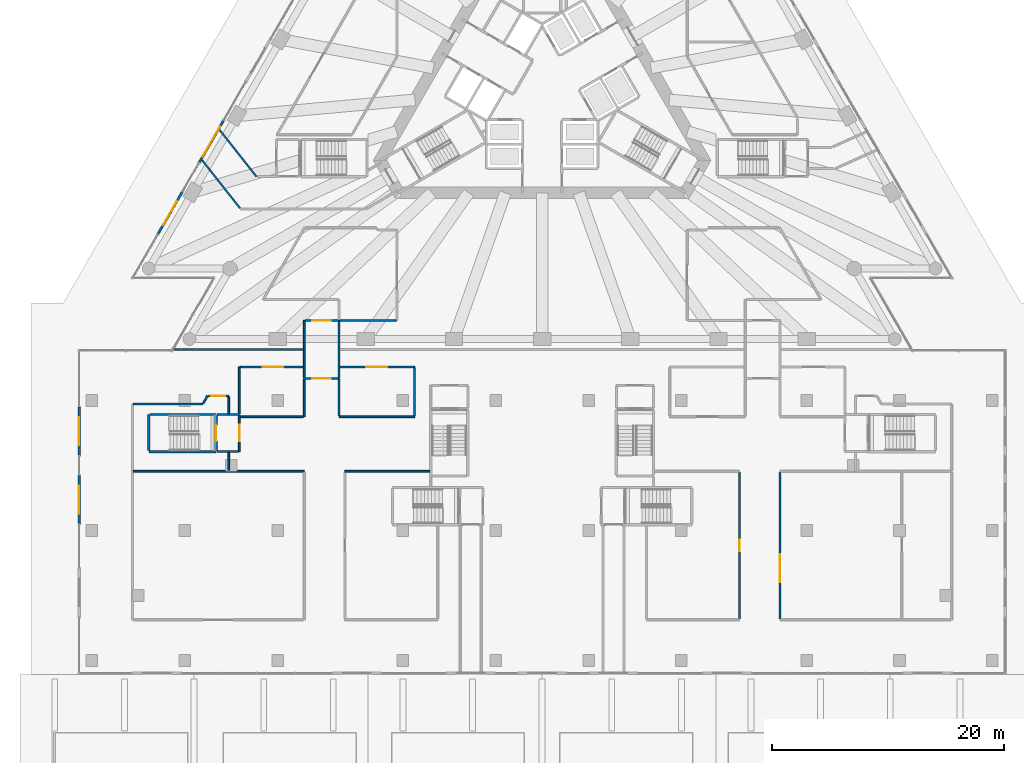
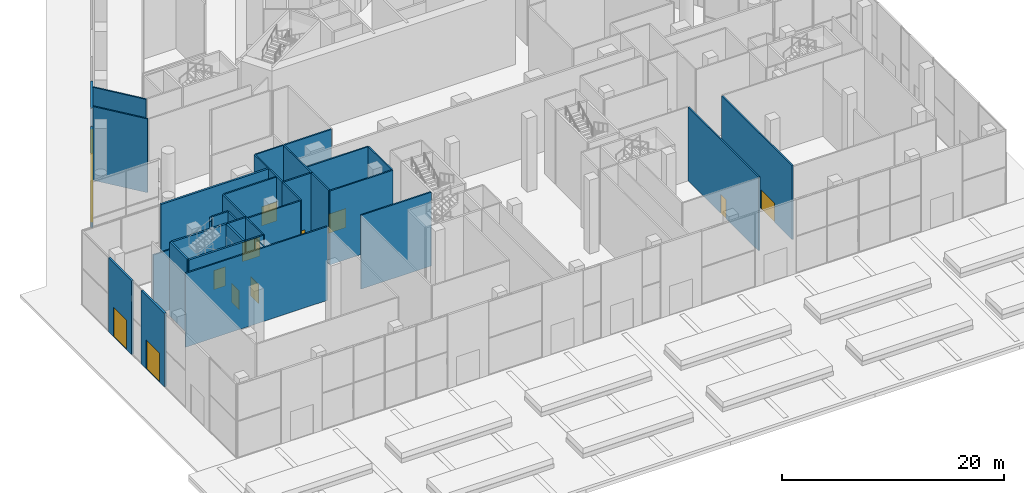
# One storey, part 21 of 41: 36 walls, 13 doors, 13 openings.
"""IFC4 building model written with IfcOpenShell, lengths in metres."""

from ifc_helpers import new_model, si_unit, direction, frame, frame_2d, origin, place, context, subcontext, project, spatial, rectangle, extrude, material, layer, layer_set, layer_usage, type_object, element, fill, save


model = new_model("IFC4")

# Units and contexts
model_context = context("Model", 3, precision=1e-05, world=origin(), true_north=direction((0.0, 1.0)))
body_context = subcontext(model_context, "Body", "Model", "MODEL_VIEW")
ifc_project = project(units=[si_unit("LENGTHUNIT", "METRE"), si_unit("AREAUNIT", "SQUARE_METRE"), si_unit("VOLUMEUNIT", "CUBIC_METRE"), si_unit("PLANEANGLEUNIT", "RADIAN"), si_unit("MASSUNIT", "GRAM", prefix="KILO")], contexts=[model_context])

# Site, building, storey
site_placement = place(None, origin())
site = spatial("IfcSite", under=ifc_project, at=site_placement, CompositionType="ELEMENT")
building_placement = place(site_placement, origin())
building = spatial("IfcBuilding", under=site, at=building_placement, Name="Triada Interchange Tower", CompositionType="ELEMENT")
storey_placement = place(building_placement, origin())
storey = spatial("IfcBuildingStorey", under=building, at=storey_placement, Name="L00", CompositionType="ELEMENT", Elevation=0.0)

# Walls
ifc_material_1 = material(Name="Concrete C30/37", Category="concrete")
ifc_layer_1 = layer(ifc_material_1, 0.199951171875)
ifc_layer_set_1 = layer_set([ifc_layer_1], Name="COMPARTMENT WALL 200 EI 180")
wall_type_1 = type_object("IfcWallType", Name="COMPARTMENT WALL 200 EI 180", PredefinedType="SOLIDWALL", material=ifc_layer_set_1)
wall_1_placement = place(storey_placement, frame((-31.72509765625, -22.5, 0.0), z_axis=(0.0, 0.0, 1.0), x_axis=(1.0, 0.0, 0.0)))
element("IfcWall", 1, at=wall_1_placement, inside=storey, type_object=wall_type_1, Name="Compartment wall L00 77", PredefinedType="SOLIDWALL", context=body_context, shape_type="SweptSolid", body=[
    extrude(rectangle(XDim=11.150146484375, YDim=0.199951171875, at=frame_2d((5.5751953125, 0.0))), origin(), (0.0, 0.0, 1.0), 8.10009765625),
])
ifc_layer_2 = layer(ifc_material_1, 0.199951171875)
ifc_layer_set_2 = layer_set([ifc_layer_2], Name="CORE WALL 200 REI 240")
wall_type_2 = type_object("IfcWallType", Name="CORE WALL 200 REI 240", PredefinedType="SOLIDWALL", material=ifc_layer_set_2)
wall_2_placement = place(storey_placement, frame((-33.89990234375, -31.300048828125, 0.0), z_axis=(0.0, 0.0, 1.0), x_axis=(1.0, 0.0, 0.0)))
element("IfcWall", 2, at=wall_2_placement, inside=storey, type_object=wall_type_2, Name="Wall L00 193", PredefinedType="SOLIDWALL", context=body_context, shape_type="SweptSolid", body=[
    extrude(rectangle(XDim=5.7978515625, YDim=0.199951171875, at=frame_2d((2.89892578125, 0.0))), origin(), (0.0, 0.0, 1.0), 8.10009765625),
])
wall_3_placement = place(storey_placement, frame((-33.89990234375, -31.199951171875, 0.0), z_axis=(0.0, 0.0, 1.0), x_axis=(0.0, 1.0, 0.0)))
element("IfcWall", 3, at=wall_3_placement, inside=storey, type_object=wall_type_2, Name="Wall L00 195", PredefinedType="SOLIDWALL", context=body_context, shape_type="SweptSolid", body=[
    extrude(rectangle(XDim=3.099853515625, YDim=0.199951171875, at=frame_2d((1.5498046875, 0.0))), origin(), (0.0, 0.0, 1.0), 8.10009765625),
])
wall_4_placement = place(storey_placement, frame((-33.800048828125, -28.10009765625, 0.0), z_axis=(0.0, 0.0, 1.0), x_axis=(1.0, 0.0, 0.0)))
element("IfcWall", 4, at=wall_4_placement, inside=storey, type_object=wall_type_2, Name="Wall L00 196", PredefinedType="SOLIDWALL", context=body_context, shape_type="SweptSolid", body=[
    extrude(rectangle(XDim=5.699951171875, YDim=0.199951171875, at=frame_2d((2.85009765625, 0.0))), origin(), (0.0, 0.0, 1.0), 8.10009765625),
])

# Wall, opening, door
wall_5_placement = place(storey_placement, frame((-28.10009765625, -31.199951171875, 0.0), z_axis=(0.0, 0.0, 1.0), x_axis=(0.0, 1.0, 0.0)))
wall_5 = element("IfcWall", 5, at=wall_5_placement, inside=storey, type_object=wall_type_2, Name="Wall L00 198", PredefinedType="SOLIDWALL", context=body_context, shape_type="SweptSolid", body=[
    extrude(rectangle(XDim=3.0, YDim=0.199951171875, at=frame_2d((1.5, 0.0))), origin(), (0.0, 0.0, 1.0), 8.10009765625),
])
opening_1_placement = place(wall_5_placement, frame((0.800048828125, 0.0, 0.0)))
opening_1 = element("IfcOpeningElement", 6, at=opening_1_placement, cuts=wall_5, Name="Opening D00-25", PredefinedType="OPENING", context=body_context, shape_type="SweptSolid", body=[
    extrude(rectangle(XDim=1.39990234375, YDim=2.10009765625, at=frame_2d((0.699951171875, 1.050048828125))), frame((0.0, 0.10986328125, 0.0), z_axis=(0.0, -1.0, 0.0), x_axis=(1.0, 0.0, 0.0)), (0.0, 0.0, 1.0), 0.219970703125),
])
ifc_material_2 = material(Name="Steel S235 door leaf", Category="steel")
door_type_1 = type_object("IfcDoorType", Name="STAIR DOOR 1400 EI2 90-C5S200", OperationType="DOUBLE_DOOR_SINGLE_SWING", PredefinedType="DOOR", material=ifc_material_2)
door_1_placement = place(opening_1_placement, origin())
door_1 = element("IfcDoor", 7, at=door_1_placement, inside=storey, type_object=door_type_1, Name="Door D00-25 L00", OperationType="DOUBLE_DOOR_SINGLE_SWING", OverallHeight=2.10009765625, OverallWidth=1.39990234375, PredefinedType="DOOR", context=body_context, shape_type="SweptSolid", body=[
    extrude(rectangle(XDim=1.39990234375, YDim=2.10009765625, at=frame_2d((0.699951171875, 1.050048828125))), frame((0.0, 0.02490234375, 0.0), z_axis=(0.0, -1.0, 0.0), x_axis=(1.0, 0.0, 0.0)), (0.0, 0.0, 1.0), 0.050048828125),
])
fill(opening_1, door_1)

ifc_material_3 = material(Name="Cement board")
ifc_layer_3 = layer(ifc_material_3, 0.02001953125, Name="Cement board cladding")
ifc_material_4 = material(Name="Sheathing board")
ifc_layer_4 = layer(ifc_material_4, 0.014892578125, Name="Sheathing board")
ifc_material_5 = material(Name="Mineral wool")
ifc_layer_5 = layer(ifc_material_5, 0.14990234375, Name="Mineral wool between steel studs")
ifc_material_6 = material(Name="Gypsum board")
ifc_layer_6 = layer(ifc_material_6, 0.014892578125, Name="Plasterboard lining")
ifc_layer_set_3 = layer_set([ifc_layer_3, ifc_layer_4, ifc_layer_5, ifc_layer_6], Name="External wall 200")
ifc_layer_usage = layer_usage(ifc_layer_set_3, "AXIS2", "POSITIVE", -0.10009765625)
wall_type_3 = type_object("IfcWallType", Name="External wall 200", PredefinedType="ELEMENTEDWALL", material=ifc_layer_set_3)
wall_6_placement = place(storey_placement, frame((-27.45703125, -2.757080078125, 0.0), z_axis=(0.0, 0.0, 1.0), x_axis=(-0.500126550569, -0.86595232745, 0.0)))
wall_6 = element("IfcWall", 8, at=wall_6_placement, inside=storey, type_object=wall_type_3, material=ifc_layer_usage, Name="External wall L00 08.11", PredefinedType="ELEMENTEDWALL", context=body_context, shape_type="SweptSolid", body=[
    extrude(rectangle(XDim=4.201171875, YDim=0.199951171875, at=frame_2d((2.1005859375, 0.0))), origin(), (0.0, 0.0, 1.0), 8.10009765625),
])
opening_2_placement = place(wall_6_placement, frame((0.60009765625, 0.0, 0.0)))
opening_2 = element("IfcOpeningElement", 9, at=opening_2_placement, cuts=wall_6, Name="Opening DX27", PredefinedType="OPENING", context=body_context, shape_type="SweptSolid", body=[
    extrude(rectangle(XDim=3.0, YDim=3.199951171875, at=frame_2d((1.5, 1.60009765625))), frame((0.0, 0.10986328125, 0.0), z_axis=(0.0, -1.0, 0.0), x_axis=(1.0, 0.0, 0.0)), (0.0, 0.0, 1.0), 0.219970703125),
])
ifc_material_7 = material(Name="Aluminium and glass", Category="aluminium")
door_type_2 = type_object("IfcDoorType", Name="Exit door double 3000", OperationType="DOUBLE_DOOR_SINGLE_SWING", PredefinedType="DOOR", material=ifc_material_7)
door_2_placement = place(opening_2_placement, frame((3.0, 0.0, 0.0), z_axis=(0.0, 0.0, 1.0), x_axis=(-1.0, 0.0, 0.0)))
door_2 = element("IfcDoor", 10, at=door_2_placement, inside=storey, type_object=door_type_2, Name="Door DX27 L00", OperationType="DOUBLE_DOOR_SINGLE_SWING", OverallHeight=3.199951171875, OverallWidth=3.0, PredefinedType="DOOR", context=body_context, shape_type="SweptSolid", body=[
    extrude(rectangle(XDim=3.0, YDim=3.199951171875, at=frame_2d((1.5, 1.60009765625))), frame((0.0, 0.02490234375, 0.0), z_axis=(0.0, -1.0, 0.0), x_axis=(1.0, 0.0, 0.0)), (0.0, 0.0, 1.0), 0.050048828125),
])
fill(opening_2, door_2)

wall_7_placement = place(storey_placement, frame((-31.01806640625, -8.924072265625, 0.0), z_axis=(0.0, 0.0, 1.0), x_axis=(-0.499908613451, -0.866078159404, 0.0)))
wall_7 = element("IfcWall", 11, at=wall_7_placement, inside=storey, type_object=wall_type_3, material=ifc_layer_usage, Name="External wall L00 08.13", PredefinedType="ELEMENTEDWALL", context=body_context, shape_type="SweptSolid", body=[
    extrude(rectangle(XDim=4.200439453125, YDim=0.199951171875, at=frame_2d((2.10009765625, 0.0))), origin(), (0.0, 0.0, 1.0), 8.10009765625),
])
opening_3_placement = place(wall_7_placement, frame((0.89990234375, 0.0, 0.0)))
opening_3 = element("IfcOpeningElement", 12, at=opening_3_placement, cuts=wall_7, Name="Opening DX17", PredefinedType="OPENING", context=body_context, shape_type="SweptSolid", body=[
    extrude(rectangle(XDim=2.39990234375, YDim=3.199951171875, at=frame_2d((1.199951171875, 1.60009765625))), frame((0.0, 0.10986328125, 0.0), z_axis=(0.0, -1.0, 0.0), x_axis=(1.0, 0.0, 0.0)), (0.0, 0.0, 1.0), 0.219970703125),
])
door_type_3 = type_object("IfcDoorType", Name="Entrance door double", OperationType="DOUBLE_DOOR_SINGLE_SWING", PredefinedType="DOOR", material=ifc_material_7)
door_3_placement = place(opening_3_placement, frame((2.39990234375, 0.0, 0.0), z_axis=(0.0, 0.0, 1.0), x_axis=(-1.0, 0.0, 0.0)))
door_3 = element("IfcDoor", 13, at=door_3_placement, inside=storey, type_object=door_type_3, Name="Door DX17 L00", OperationType="DOUBLE_DOOR_SINGLE_SWING", OverallHeight=3.199951171875, OverallWidth=2.39990234375, PredefinedType="DOOR", context=body_context, shape_type="SweptSolid", body=[
    extrude(rectangle(XDim=2.39990234375, YDim=3.199951171875, at=frame_2d((1.199951171875, 1.60009765625))), frame((0.0, 0.02490234375, 0.0), z_axis=(0.0, -1.0, 0.0), x_axis=(1.0, 0.0, 0.0)), (0.0, 0.0, 1.0), 0.050048828125),
])
fill(opening_3, door_3)

wall_8_placement = place(storey_placement, frame((-39.89990234375, -27.449951171875, 0.0), z_axis=(0.0, 0.0, 1.0), x_axis=(0.0, -1.0, 0.0)))
wall_8 = element("IfcWall", 14, at=wall_8_placement, inside=storey, type_object=wall_type_3, material=ifc_layer_usage, Name="External wall L00 12.1", PredefinedType="ELEMENTEDWALL", context=body_context, shape_type="SweptSolid", body=[
    extrude(rectangle(XDim=4.199951171875, YDim=0.199951171875, at=frame_2d((2.10009765625, 0.0))), origin(), (0.0, 0.0, 1.0), 8.10009765625),
])
opening_4_placement = place(wall_8_placement, frame((0.89990234375, 0.0, 0.0)))
opening_4 = element("IfcOpeningElement", 15, at=opening_4_placement, cuts=wall_8, Name="Opening DX18", PredefinedType="OPENING", context=body_context, shape_type="SweptSolid", body=[
    extrude(rectangle(XDim=2.39990234375, YDim=3.199951171875, at=frame_2d((1.199951171875, 1.60009765625))), frame((0.0, 0.10986328125, 0.0), z_axis=(0.0, -1.0, 0.0), x_axis=(1.0, 0.0, 0.0)), (0.0, 0.0, 1.0), 0.219970703125),
])
door_4_placement = place(opening_4_placement, frame((2.39990234375, 0.0, 0.0), z_axis=(0.0, 0.0, 1.0), x_axis=(-1.0, 0.0, 0.0)))
door_4 = element("IfcDoor", 16, at=door_4_placement, inside=storey, type_object=door_type_3, Name="Door DX18 L00", OperationType="DOUBLE_DOOR_SINGLE_SWING", OverallHeight=3.199951171875, OverallWidth=2.39990234375, PredefinedType="DOOR", context=body_context, shape_type="SweptSolid", body=[
    extrude(rectangle(XDim=2.39990234375, YDim=3.199951171875, at=frame_2d((1.199951171875, 1.60009765625))), frame((0.0, 0.02490234375, 0.0), z_axis=(0.0, -1.0, 0.0), x_axis=(1.0, 0.0, 0.0)), (0.0, 0.0, 1.0), 0.050048828125),
])
fill(opening_4, door_4)

wall_9_placement = place(storey_placement, frame((-39.89990234375, -33.35009765625, 0.0), z_axis=(0.0, 0.0, 1.0), x_axis=(0.0, -1.0, 0.0)))
wall_9 = element("IfcWall", 17, at=wall_9_placement, inside=storey, type_object=wall_type_3, material=ifc_layer_usage, Name="External wall L00 12.3", PredefinedType="ELEMENTEDWALL", context=body_context, shape_type="SweptSolid", body=[
    extrude(rectangle(XDim=4.199951171875, YDim=0.199951171875, at=frame_2d((2.10009765625, 0.0))), origin(), (0.0, 0.0, 1.0), 8.10009765625),
])
opening_5_placement = place(wall_9_placement, frame((0.89990234375, 0.0, 0.0)))
opening_5 = element("IfcOpeningElement", 18, at=opening_5_placement, cuts=wall_9, Name="Opening DX28", PredefinedType="OPENING", context=body_context, shape_type="SweptSolid", body=[
    extrude(rectangle(XDim=2.39990234375, YDim=3.199951171875, at=frame_2d((1.199951171875, 1.60009765625))), frame((0.0, 0.10986328125, 0.0), z_axis=(0.0, -1.0, 0.0), x_axis=(1.0, 0.0, 0.0)), (0.0, 0.0, 1.0), 0.219970703125),
])
door_5_placement = place(opening_5_placement, frame((2.39990234375, 0.0, 0.0), z_axis=(0.0, 0.0, 1.0), x_axis=(-1.0, 0.0, 0.0)))
door_5 = element("IfcDoor", 19, at=door_5_placement, inside=storey, type_object=door_type_3, Name="Door DX28 L00", OperationType="DOUBLE_DOOR_SINGLE_SWING", OverallHeight=3.199951171875, OverallWidth=2.39990234375, PredefinedType="DOOR", context=body_context, shape_type="SweptSolid", body=[
    extrude(rectangle(XDim=2.39990234375, YDim=3.199951171875, at=frame_2d((1.199951171875, 1.60009765625))), frame((0.0, 0.02490234375, 0.0), z_axis=(0.0, -1.0, 0.0), x_axis=(1.0, 0.0, 0.0)), (0.0, 0.0, 1.0), 0.050048828125),
])
fill(opening_5, door_5)

# Walls
ifc_material_8 = material(Name="Gypsum board partition")
ifc_layer_7 = layer(ifc_material_8, 0.14990234375)
ifc_layer_set_4 = layer_set([ifc_layer_7], Name="PARTITION 150 EI 180")
wall_type_4 = type_object("IfcWallType", Name="PARTITION 150 EI 180", PredefinedType="PARTITIONING", material=ifc_layer_set_4)
wall_10_placement = place(storey_placement, frame((-29.31396484375, -6.173095703125, 0.0), z_axis=(0.0, 0.0, 1.0), x_axis=(0.6194227418, -0.785057620141, 0.0)))
element("IfcWall", 20, at=wall_10_placement, inside=storey, type_object=wall_type_4, Name="Wall L00 3", PredefinedType="PARTITIONING", context=body_context, shape_type="SweptSolid", body=[
    extrude(rectangle(XDim=5.28857421875, YDim=0.14990234375, at=frame_2d((2.644287109375, 0.0))), origin(), (0.0, 0.0, 1.0), 8.10009765625),
])
wall_11_placement = place(storey_placement, frame((-28.0, -28.10009765625, 0.0), z_axis=(0.0, 0.0, 1.0), x_axis=(1.0, 0.0, 0.0)))
element("IfcWall", 21, at=wall_11_placement, inside=storey, type_object=wall_type_4, Name="Wall L00 4", PredefinedType="PARTITIONING", context=body_context, shape_type="SweptSolid", body=[
    extrude(rectangle(XDim=1.89990234375, YDim=0.14990234375, at=frame_2d((0.949951171875, 0.0))), origin(), (0.0, 0.0, 1.0), 8.10009765625),
])

# Wall, opening, door
wall_12_placement = place(storey_placement, frame((-26.10009765625, -31.300048828125, 0.0), z_axis=(0.0, 0.0, 1.0), x_axis=(0.0, 1.0, 0.0)))
wall_12 = element("IfcWall", 22, at=wall_12_placement, inside=storey, type_object=wall_type_4, Name="Wall L00 6", PredefinedType="PARTITIONING", context=body_context, shape_type="SweptSolid", body=[
    extrude(rectangle(XDim=3.125, YDim=0.14990234375, at=frame_2d((1.5625, 0.0))), origin(), (0.0, 0.0, 1.0), 8.10009765625),
])
opening_6_placement = place(wall_12_placement, frame((0.89990234375, 0.0, 0.0)))
opening_6 = element("IfcOpeningElement", 23, at=opening_6_placement, cuts=wall_12, Name="Opening D00-26", PredefinedType="OPENING", context=body_context, shape_type="SweptSolid", body=[
    extrude(rectangle(XDim=1.39990234375, YDim=2.10009765625, at=frame_2d((0.699951171875, 1.050048828125))), frame((0.0, 0.0849609375, 0.0), z_axis=(0.0, -1.0, 0.0), x_axis=(1.0, 0.0, 0.0)), (0.0, 0.0, 1.0), 0.169921875),
])
door_6_placement = place(opening_6_placement, origin())
door_6 = element("IfcDoor", 24, at=door_6_placement, inside=storey, type_object=door_type_1, Name="Door D00-26 L00", OperationType="DOUBLE_DOOR_SINGLE_SWING", OverallHeight=2.10009765625, OverallWidth=1.39990234375, PredefinedType="DOOR", context=body_context, shape_type="SweptSolid", body=[
    extrude(rectangle(XDim=1.39990234375, YDim=2.10009765625, at=frame_2d((0.699951171875, 1.050048828125))), frame((0.0, 0.02490234375, 0.0), z_axis=(0.0, -1.0, 0.0), x_axis=(1.0, 0.0, 0.0)), (0.0, 0.0, 1.0), 0.050048828125),
])
fill(opening_6, door_6)

# Walls
wall_13_placement = place(storey_placement, frame((-28.0, -31.300048828125, 0.0), z_axis=(0.0, 0.0, 1.0), x_axis=(1.0, 0.0, 0.0)))
element("IfcWall", 25, at=wall_13_placement, inside=storey, type_object=wall_type_4, Name="Wall L00 7", PredefinedType="PARTITIONING", context=body_context, shape_type="SweptSolid", body=[
    extrude(rectangle(XDim=1.824951171875, YDim=0.14990234375, at=frame_2d((0.91259765625, 0.0))), origin(), (0.0, 0.0, 1.0), 8.10009765625),
])
wall_14_placement = place(storey_placement, frame((-27.806884765625, -3.56298828125, 0.0), z_axis=(0.0, 0.0, 1.0), x_axis=(0.619476498326, -0.785015202415, 0.0)))
element("IfcWall", 26, at=wall_14_placement, inside=storey, type_object=wall_type_4, Name="Wall L00 9", PredefinedType="PARTITIONING", context=body_context, shape_type="SweptSolid", body=[
    extrude(rectangle(XDim=5.142822265625, YDim=0.14990234375, at=frame_2d((2.5712890625, 0.0))), origin(), (0.0, 0.0, 1.0), 8.10009765625),
])
ifc_layer_8 = layer(ifc_material_8, 0.14990234375)
ifc_layer_set_5 = layer_set([ifc_layer_8], Name="PARTITION 150 EI 90")
wall_type_5 = type_object("IfcWallType", Name="PARTITION 150 EI 90", PredefinedType="PARTITIONING", material=ifc_layer_set_5)
wall_15_placement = place(storey_placement, frame((-20.5, -25.0, 0.0), z_axis=(0.0, 0.0, 1.0), x_axis=(0.0, 1.0, 0.0)))
element("IfcWall", 27, at=wall_15_placement, inside=storey, type_object=wall_type_5, Name="Wall L00 49", PredefinedType="PARTITIONING", context=body_context, shape_type="SweptSolid", body=[
    extrude(rectangle(XDim=5.0, YDim=0.14990234375, at=frame_2d((2.5, 0.0))), origin(), (0.0, 0.0, 1.0), 8.10009765625),
])

# Wall, opening, door
wall_16_placement = place(storey_placement, frame((-20.425048828125, -20.0, 0.0), z_axis=(0.0, 0.0, 1.0), x_axis=(1.0, 0.0, 0.0)))
wall_16 = element("IfcWall", 28, at=wall_16_placement, inside=storey, type_object=wall_type_5, Name="Wall L00 50", PredefinedType="PARTITIONING", context=body_context, shape_type="SweptSolid", body=[
    extrude(rectangle(XDim=2.925048828125, YDim=0.14990234375, at=frame_2d((1.46240234375, 0.0))), origin(), (0.0, 0.0, 1.0), 8.10009765625),
])
opening_7_placement = place(wall_16_placement, frame((0.625, 0.0, 0.0)))
opening_7 = element("IfcOpeningElement", 29, at=opening_7_placement, cuts=wall_16, Name="Opening D00-14", PredefinedType="OPENING", context=body_context, shape_type="SweptSolid", body=[
    extrude(rectangle(XDim=1.60009765625, YDim=2.10009765625, at=frame_2d((0.800048828125, 1.050048828125))), frame((0.0, 0.0849609375, 0.0), z_axis=(0.0, -1.0, 0.0), x_axis=(1.0, 0.0, 0.0)), (0.0, 0.0, 1.0), 0.169921875),
])
door_type_4 = type_object("IfcDoorType", Name="STAIR DOOR 1600 EI2 90-C5S200", OperationType="DOUBLE_DOOR_SINGLE_SWING", PredefinedType="DOOR", material=ifc_material_2)
door_7_placement = place(opening_7_placement, origin())
door_7 = element("IfcDoor", 30, at=door_7_placement, inside=storey, type_object=door_type_4, Name="Door D00-14 L00", OperationType="DOUBLE_DOOR_SINGLE_SWING", OverallHeight=2.10009765625, OverallWidth=1.60009765625, PredefinedType="DOOR", context=body_context, shape_type="SweptSolid", body=[
    extrude(rectangle(XDim=1.60009765625, YDim=2.10009765625, at=frame_2d((0.800048828125, 1.050048828125))), frame((0.0, 0.02490234375, 0.0), z_axis=(0.0, -1.0, 0.0), x_axis=(1.0, 0.0, 0.0)), (0.0, 0.0, 1.0), 0.050048828125),
])
fill(opening_7, door_7)

# Wall
wall_17_placement = place(storey_placement, frame((-17.5, -25.0, 0.0), z_axis=(0.0, 0.0, 1.0), x_axis=(0.0, 1.0, 0.0)))
element("IfcWall", 31, at=wall_17_placement, inside=storey, type_object=wall_type_5, Name="Wall L00 52", PredefinedType="PARTITIONING", context=body_context, shape_type="SweptSolid", body=[
    extrude(rectangle(XDim=4.925048828125, YDim=0.14990234375, at=frame_2d((2.46240234375, 0.0))), origin(), (0.0, 0.0, 1.0), 8.10009765625),
])

# Wall, opening, door
wall_18_placement = place(storey_placement, frame((-20.425048828125, -25.0, 0.0), z_axis=(0.0, 0.0, 1.0), x_axis=(1.0, 0.0, 0.0)))
wall_18 = element("IfcWall", 32, at=wall_18_placement, inside=storey, type_object=wall_type_5, Name="Wall L00 53", PredefinedType="PARTITIONING", context=body_context, shape_type="SweptSolid", body=[
    extrude(rectangle(XDim=2.85009765625, YDim=0.14990234375, at=frame_2d((1.425048828125, 0.0))), origin(), (0.0, 0.0, 1.0), 8.10009765625),
])
opening_8_placement = place(wall_18_placement, frame((0.625, 0.0, 0.0)))
opening_8 = element("IfcOpeningElement", 33, at=opening_8_placement, cuts=wall_18, Name="Opening D00-13", PredefinedType="OPENING", context=body_context, shape_type="SweptSolid", body=[
    extrude(rectangle(XDim=1.60009765625, YDim=2.10009765625, at=frame_2d((0.800048828125, 1.050048828125))), frame((0.0, 0.0849609375, 0.0), z_axis=(0.0, -1.0, 0.0), x_axis=(1.0, 0.0, 0.0)), (0.0, 0.0, 1.0), 0.169921875),
])
door_8_placement = place(opening_8_placement, origin())
door_8 = element("IfcDoor", 34, at=door_8_placement, inside=storey, type_object=door_type_4, Name="Door D00-13 L00", OperationType="DOUBLE_DOOR_SINGLE_SWING", OverallHeight=2.10009765625, OverallWidth=1.60009765625, PredefinedType="DOOR", context=body_context, shape_type="SweptSolid", body=[
    extrude(rectangle(XDim=1.60009765625, YDim=2.10009765625, at=frame_2d((0.800048828125, 1.050048828125))), frame((0.0, 0.02490234375, 0.0), z_axis=(0.0, -1.0, 0.0), x_axis=(1.0, 0.0, 0.0)), (0.0, 0.0, 1.0), 0.050048828125),
])
fill(opening_8, door_8)

# Walls
wall_19_placement = place(storey_placement, frame((-35.22509765625, -33.0, 0.0), z_axis=(0.0, 0.0, 1.0), x_axis=(1.0, 0.0, 0.0)))
element("IfcWall", 35, at=wall_19_placement, inside=storey, type_object=wall_type_5, Name="Wall L00 57", PredefinedType="PARTITIONING", context=body_context, shape_type="SweptSolid", body=[
    extrude(rectangle(XDim=14.72509765625, YDim=0.14990234375, at=frame_2d((7.362548828125, 0.0))), origin(), (0.0, 0.0, 1.0), 8.10009765625),
])
wall_20_placement = place(storey_placement, frame((-17.0, -33.0, 0.0), z_axis=(0.0, 0.0, 1.0), x_axis=(1.0, 0.0, 0.0)))
element("IfcWall", 36, at=wall_20_placement, inside=storey, type_object=wall_type_5, Name="Wall L00 58", PredefinedType="PARTITIONING", context=body_context, shape_type="SweptSolid", body=[
    extrude(rectangle(XDim=7.300048828125, YDim=0.14990234375, at=frame_2d((3.64990234375, 0.0))), origin(), (0.0, 0.0, 1.0), 8.10009765625),
])
wall_21_placement = place(storey_placement, frame((-35.22509765625, -27.199951171875, 0.0), z_axis=(0.0, 0.0, 1.0), x_axis=(1.0, 0.0, 0.0)))
element("IfcWall", 37, at=wall_21_placement, inside=storey, type_object=wall_type_5, Name="Wall L00 62", PredefinedType="PARTITIONING", context=body_context, shape_type="SweptSolid", body=[
    extrude(rectangle(XDim=5.983154296875, YDim=0.14990234375, at=frame_2d((2.99169921875, 0.0))), origin(), (0.0, 0.0, 1.0), 6.60009765625),
])
wall_22_placement = place(storey_placement, frame((-29.198974609375, -27.125, 0.0), z_axis=(0.0, 0.0, 1.0), x_axis=(0.500249421803, 0.865881352141, 0.0)))
element("IfcWall", 38, at=wall_22_placement, inside=storey, type_object=wall_type_5, Name="Wall L00 64", PredefinedType="PARTITIONING", context=body_context, shape_type="SweptSolid", body=[
    extrude(rectangle(XDim=0.721923828125, YDim=0.14990234375, at=frame_2d((0.36083984375, 0.0))), origin(), (0.0, 0.0, 1.0), 8.10009765625),
])

# Wall, opening, door
wall_23_placement = place(storey_placement, frame((-28.751953125, -26.5, 0.0), z_axis=(0.0, 0.0, 1.0), x_axis=(1.0, 0.0, 0.0)))
wall_23 = element("IfcWall", 39, at=wall_23_placement, inside=storey, type_object=wall_type_5, Name="Wall L00 67", PredefinedType="PARTITIONING", context=body_context, shape_type="SweptSolid", body=[
    extrude(rectangle(XDim=1.751953125, YDim=0.14990234375, at=frame_2d((0.8759765625, 0.0))), origin(), (0.0, 0.0, 1.0), 8.10009765625),
])
opening_9_placement = place(wall_23_placement, frame((0.251953125, 0.0, 0.0)))
opening_9 = element("IfcOpeningElement", 40, at=opening_9_placement, cuts=wall_23, Name="Opening D00-38", PredefinedType="OPENING", context=body_context, shape_type="SweptSolid", body=[
    extrude(rectangle(XDim=1.199951171875, YDim=2.10009765625, at=frame_2d((0.60009765625, 1.050048828125))), frame((0.0, 0.0849609375, 0.0), z_axis=(0.0, -1.0, 0.0), x_axis=(1.0, 0.0, 0.0)), (0.0, 0.0, 1.0), 0.169921875),
])
door_type_5 = type_object("IfcDoorType", Name="ROOM DOOR 1200 EI2 90-C5S200", OperationType="NOTDEFINED", PredefinedType="DOOR", material=ifc_material_2)
door_9_placement = place(opening_9_placement, origin())
door_9 = element("IfcDoor", 41, at=door_9_placement, inside=storey, type_object=door_type_5, Name="Door D00-38 L00", OperationType="SINGLE_SWING_RIGHT", OverallHeight=2.10009765625, OverallWidth=1.199951171875, PredefinedType="DOOR", context=body_context, shape_type="SweptSolid", body=[
    extrude(rectangle(XDim=1.199951171875, YDim=2.10009765625, at=frame_2d((0.60009765625, 1.050048828125))), frame((0.0, 0.02490234375, 0.0), z_axis=(0.0, -1.0, 0.0), x_axis=(1.0, 0.0, 0.0)), (0.0, 0.0, 1.0), 0.050048828125),
])
fill(opening_9, door_9)

# Walls
wall_24_placement = place(storey_placement, frame((-27.0, -32.925048828125, 0.0), z_axis=(0.0, 0.0, 1.0), x_axis=(0.0, 1.0, 0.0)))
element("IfcWall", 42, at=wall_24_placement, inside=storey, type_object=wall_type_5, Name="Wall L00 69", PredefinedType="PARTITIONING", context=body_context, shape_type="SweptSolid", body=[
    extrude(rectangle(XDim=1.550048828125, YDim=0.14990234375, at=frame_2d((0.77490234375, 0.0))), origin(), (0.0, 0.0, 1.0), 8.10009765625),
])
wall_25_placement = place(storey_placement, frame((-27.0, -28.02490234375, 0.0), z_axis=(0.0, 0.0, 1.0), x_axis=(0.0, 1.0, 0.0)))
element("IfcWall", 43, at=wall_25_placement, inside=storey, type_object=wall_type_5, Name="Wall L00 70", PredefinedType="PARTITIONING", context=body_context, shape_type="SweptSolid", body=[
    extrude(rectangle(XDim=1.449951171875, YDim=0.14990234375, at=frame_2d((0.72509765625, 0.0))), origin(), (0.0, 0.0, 1.0), 8.10009765625),
])
wall_26_placement = place(storey_placement, frame((-20.5, -28.300048828125, 0.0), z_axis=(0.0, 0.0, 1.0), x_axis=(0.0, 1.0, 0.0)))
element("IfcWall", 44, at=wall_26_placement, inside=storey, type_object=wall_type_5, Name="Wall L00 72", PredefinedType="PARTITIONING", context=body_context, shape_type="SweptSolid", body=[
    extrude(rectangle(XDim=3.22705078125, YDim=0.14990234375, at=frame_2d((1.613525390625, 0.0))), origin(), (0.0, 0.0, 1.0), 8.10009765625),
])
wall_27_placement = place(storey_placement, frame((-26.02490234375, -28.300048828125, 0.0), z_axis=(0.0, 0.0, 1.0), x_axis=(1.0, 0.0, 0.0)))
element("IfcWall", 45, at=wall_27_placement, inside=storey, type_object=wall_type_5, Name="Wall L00 80", PredefinedType="PARTITIONING", context=body_context, shape_type="SweptSolid", body=[
    extrude(rectangle(XDim=5.449951171875, YDim=0.14990234375, at=frame_2d((2.72509765625, 0.0))), origin(), (0.0, 0.0, 1.0), 8.10009765625),
])
wall_28_placement = place(storey_placement, frame((-17.5, -28.300048828125, 0.0), z_axis=(0.0, 0.0, 1.0), x_axis=(1.0, 0.0, 0.0)))
element("IfcWall", 46, at=wall_28_placement, inside=storey, type_object=wall_type_5, Name="Wall L00 81", PredefinedType="PARTITIONING", context=body_context, shape_type="SweptSolid", body=[
    extrude(rectangle(XDim=6.5, YDim=0.14990234375, at=frame_2d((3.25, 0.0))), origin(), (0.0, 0.0, 1.0), 8.10009765625),
])
wall_29_placement = place(storey_placement, frame((-26.10009765625, -28.027099609375, 0.0), z_axis=(0.0, 0.0, 1.0), x_axis=(0.0, 1.0, 0.0)))
element("IfcWall", 47, at=wall_29_placement, inside=storey, type_object=wall_type_5, Name="Wall L00 84", PredefinedType="PARTITIONING", context=body_context, shape_type="SweptSolid", body=[
    extrude(rectangle(XDim=4.027099609375, YDim=0.14990234375, at=frame_2d((2.013671875, 0.0))), origin(), (0.0, 0.0, 1.0), 8.10009765625),
])

# Wall, opening, door
wall_30_placement = place(storey_placement, frame((-26.02490234375, -24.0, 0.0), z_axis=(0.0, 0.0, 1.0), x_axis=(1.0, 0.0, 0.0)))
wall_30 = element("IfcWall", 48, at=wall_30_placement, inside=storey, type_object=wall_type_5, Name="Wall L00 85", PredefinedType="PARTITIONING", context=body_context, shape_type="SweptSolid", body=[
    extrude(rectangle(XDim=5.449951171875, YDim=0.14990234375, at=frame_2d((2.72509765625, 0.0))), origin(), (0.0, 0.0, 1.0), 8.10009765625),
])
opening_10_placement = place(wall_30_placement, frame((1.925048828125, 0.0, 0.0)))
opening_10 = element("IfcOpeningElement", 49, at=opening_10_placement, cuts=wall_30, Name="Opening D00-39", PredefinedType="OPENING", context=body_context, shape_type="SweptSolid", body=[
    extrude(rectangle(XDim=1.800048828125, YDim=2.10009765625, at=frame_2d((0.89990234375, 1.050048828125))), frame((0.0, 0.0849609375, 0.0), z_axis=(0.0, -1.0, 0.0), x_axis=(1.0, 0.0, 0.0)), (0.0, 0.0, 1.0), 0.169921875),
])
door_type_6 = type_object("IfcDoorType", Name="SHOP AND HALL ENTRANCE DOOR 1800 EI2 90-C5S200", OperationType="DOUBLE_DOOR_SINGLE_SWING", PredefinedType="DOOR", material=ifc_material_2)
door_10_placement = place(opening_10_placement, origin())
door_10 = element("IfcDoor", 50, at=door_10_placement, inside=storey, type_object=door_type_6, Name="Door D00-39 L00", OperationType="DOUBLE_DOOR_SINGLE_SWING", OverallHeight=2.10009765625, OverallWidth=1.800048828125, PredefinedType="DOOR", context=body_context, shape_type="SweptSolid", body=[
    extrude(rectangle(XDim=1.800048828125, YDim=2.10009765625, at=frame_2d((0.89990234375, 1.050048828125))), frame((0.0, 0.02490234375, 0.0), z_axis=(0.0, -1.0, 0.0), x_axis=(1.0, 0.0, 0.0)), (0.0, 0.0, 1.0), 0.050048828125),
])
fill(opening_10, door_10)

wall_31_placement = place(storey_placement, frame((-17.425048828125, -24.0, 0.0), z_axis=(0.0, 0.0, 1.0), x_axis=(1.0, 0.0, 0.0)))
wall_31 = element("IfcWall", 51, at=wall_31_placement, inside=storey, type_object=wall_type_5, Name="Wall L00 86", PredefinedType="PARTITIONING", context=body_context, shape_type="SweptSolid", body=[
    extrude(rectangle(XDim=6.425048828125, YDim=0.14990234375, at=frame_2d((3.21240234375, 0.0))), origin(), (0.0, 0.0, 1.0), 8.10009765625),
])
opening_11_placement = place(wall_31_placement, frame((2.27490234375, 0.0, 0.0)))
opening_11 = element("IfcOpeningElement", 52, at=opening_11_placement, cuts=wall_31, Name="Opening D00-40", PredefinedType="OPENING", context=body_context, shape_type="SweptSolid", body=[
    extrude(rectangle(XDim=1.800048828125, YDim=2.10009765625, at=frame_2d((0.89990234375, 1.050048828125))), frame((0.0, 0.0849609375, 0.0), z_axis=(0.0, -1.0, 0.0), x_axis=(1.0, 0.0, 0.0)), (0.0, 0.0, 1.0), 0.169921875),
])
door_11_placement = place(opening_11_placement, origin())
door_11 = element("IfcDoor", 53, at=door_11_placement, inside=storey, type_object=door_type_6, Name="Door D00-40 L00", OperationType="DOUBLE_DOOR_SINGLE_SWING", OverallHeight=2.10009765625, OverallWidth=1.800048828125, PredefinedType="DOOR", context=body_context, shape_type="SweptSolid", body=[
    extrude(rectangle(XDim=1.800048828125, YDim=2.10009765625, at=frame_2d((0.89990234375, 1.050048828125))), frame((0.0, 0.02490234375, 0.0), z_axis=(0.0, -1.0, 0.0), x_axis=(1.0, 0.0, 0.0)), (0.0, 0.0, 1.0), 0.050048828125),
])
fill(opening_11, door_11)

# Walls
wall_32_placement = place(storey_placement, frame((-11.0, -28.22509765625, 0.0), z_axis=(0.0, 0.0, 1.0), x_axis=(0.0, 1.0, 0.0)))
element("IfcWall", 54, at=wall_32_placement, inside=storey, type_object=wall_type_5, Name="Wall L00 89", PredefinedType="PARTITIONING", context=body_context, shape_type="SweptSolid", body=[
    extrude(rectangle(XDim=4.150146484375, YDim=0.14990234375, at=frame_2d((2.0751953125, 0.0))), origin(), (0.0, 0.0, 1.0), 8.10009765625),
])
wall_33_placement = place(storey_placement, frame((-17.5, -28.22509765625, 0.0), z_axis=(0.0, 0.0, 1.0), x_axis=(0.0, 1.0, 0.0)))
element("IfcWall", 55, at=wall_33_placement, inside=storey, type_object=wall_type_5, Name="Wall L00 90", PredefinedType="PARTITIONING", context=body_context, shape_type="SweptSolid", body=[
    extrude(rectangle(XDim=3.152099609375, YDim=0.14990234375, at=frame_2d((1.576171875, 0.0))), origin(), (0.0, 0.0, 1.0), 8.10009765625),
])

# Wall, opening, door
wall_34_placement = place(storey_placement, frame((17.0, -45.72509765625, 0.0), z_axis=(0.0, 0.0, 1.0), x_axis=(0.0, 1.0, 0.0)))
wall_34 = element("IfcWall", 56, at=wall_34_placement, inside=storey, type_object=wall_type_5, Name="Wall L00 95", PredefinedType="PARTITIONING", context=body_context, shape_type="SweptSolid", body=[
    extrude(rectangle(XDim=12.650146484375, YDim=0.14990234375, at=frame_2d((6.3251953125, 0.0))), origin(), (0.0, 0.0, 1.0), 8.10009765625),
])
opening_12_placement = place(wall_34_placement, frame((5.824951171875, 0.0, 0.0)))
opening_12 = element("IfcOpeningElement", 57, at=opening_12_placement, cuts=wall_34, Name="Opening D00-35", PredefinedType="OPENING", context=body_context, shape_type="SweptSolid", body=[
    extrude(rectangle(XDim=1.0, YDim=2.10009765625, at=frame_2d((0.5, 1.050048828125))), frame((0.0, 0.0849609375, 0.0), z_axis=(0.0, -1.0, 0.0), x_axis=(1.0, 0.0, 0.0)), (0.0, 0.0, 1.0), 0.169921875),
])
door_type_7 = type_object("IfcDoorType", Name="ROOM DOOR 1000 EI2 45-C5S200", OperationType="NOTDEFINED", PredefinedType="DOOR", material=ifc_material_2)
door_12_placement = place(opening_12_placement, origin())
door_12 = element("IfcDoor", 58, at=door_12_placement, inside=storey, type_object=door_type_7, Name="Door D00-35 L00", OperationType="SINGLE_SWING_LEFT", OverallHeight=2.10009765625, OverallWidth=1.0, PredefinedType="DOOR", context=body_context, shape_type="SweptSolid", body=[
    extrude(rectangle(XDim=1.0, YDim=2.10009765625, at=frame_2d((0.5, 1.050048828125))), frame((0.0, 0.02490234375, 0.0), z_axis=(0.0, -1.0, 0.0), x_axis=(1.0, 0.0, 0.0)), (0.0, 0.0, 1.0), 0.050048828125),
])
fill(opening_12, door_12)

wall_35_placement = place(storey_placement, frame((20.5, -45.72509765625, 0.0), z_axis=(0.0, 0.0, 1.0), x_axis=(0.0, 1.0, 0.0)))
wall_35 = element("IfcWall", 59, at=wall_35_placement, inside=storey, type_object=wall_type_5, Name="Wall L00 117", PredefinedType="PARTITIONING", context=body_context, shape_type="SweptSolid", body=[
    extrude(rectangle(XDim=12.650146484375, YDim=0.14990234375, at=frame_2d((6.3251953125, 0.0))), origin(), (0.0, 0.0, 1.0), 8.10009765625),
])
opening_13_placement = place(wall_35_placement, frame((3.18505859375, 0.0, 0.0)))
opening_13 = element("IfcOpeningElement", 60, at=opening_13_placement, cuts=wall_35, Name="Opening D00-36", PredefinedType="OPENING", context=body_context, shape_type="SweptSolid", body=[
    extrude(rectangle(XDim=2.39990234375, YDim=2.10009765625, at=frame_2d((1.199951171875, 1.050048828125))), frame((0.0, 0.0849609375, 0.0), z_axis=(0.0, -1.0, 0.0), x_axis=(1.0, 0.0, 0.0)), (0.0, 0.0, 1.0), 0.169921875),
])
door_type_8 = type_object("IfcDoorType", Name="SHOP AND HALL ENTRANCE DOOR 2400 EI2 90-C5S200", OperationType="DOUBLE_DOOR_SINGLE_SWING", PredefinedType="DOOR", material=ifc_material_2)
door_13_placement = place(opening_13_placement, origin())
door_13 = element("IfcDoor", 61, at=door_13_placement, inside=storey, type_object=door_type_8, Name="Door D00-36 L00", OperationType="DOUBLE_DOOR_SINGLE_SWING", OverallHeight=2.10009765625, OverallWidth=2.39990234375, PredefinedType="DOOR", context=body_context, shape_type="SweptSolid", body=[
    extrude(rectangle(XDim=2.39990234375, YDim=2.10009765625, at=frame_2d((1.199951171875, 1.050048828125))), frame((0.0, 0.02490234375, 0.0), z_axis=(0.0, -1.0, 0.0), x_axis=(1.0, 0.0, 0.0)), (0.0, 0.0, 1.0), 0.050048828125),
])
fill(opening_13, door_13)

# Wall
wall_36_placement = place(storey_placement, frame((-17.425048828125, -20.0, 0.0), z_axis=(0.0, 0.0, 1.0), x_axis=(1.0, 0.0, 0.0)))
element("IfcWall", 62, at=wall_36_placement, inside=storey, type_object=wall_type_5, Name="Wall L00 134", PredefinedType="PARTITIONING", context=body_context, shape_type="SweptSolid", body=[
    extrude(rectangle(XDim=4.85009765625, YDim=0.14990234375, at=frame_2d((2.425048828125, 0.0))), origin(), (0.0, 0.0, 1.0), 8.10009765625),
])

save(model, "model.ifc")
